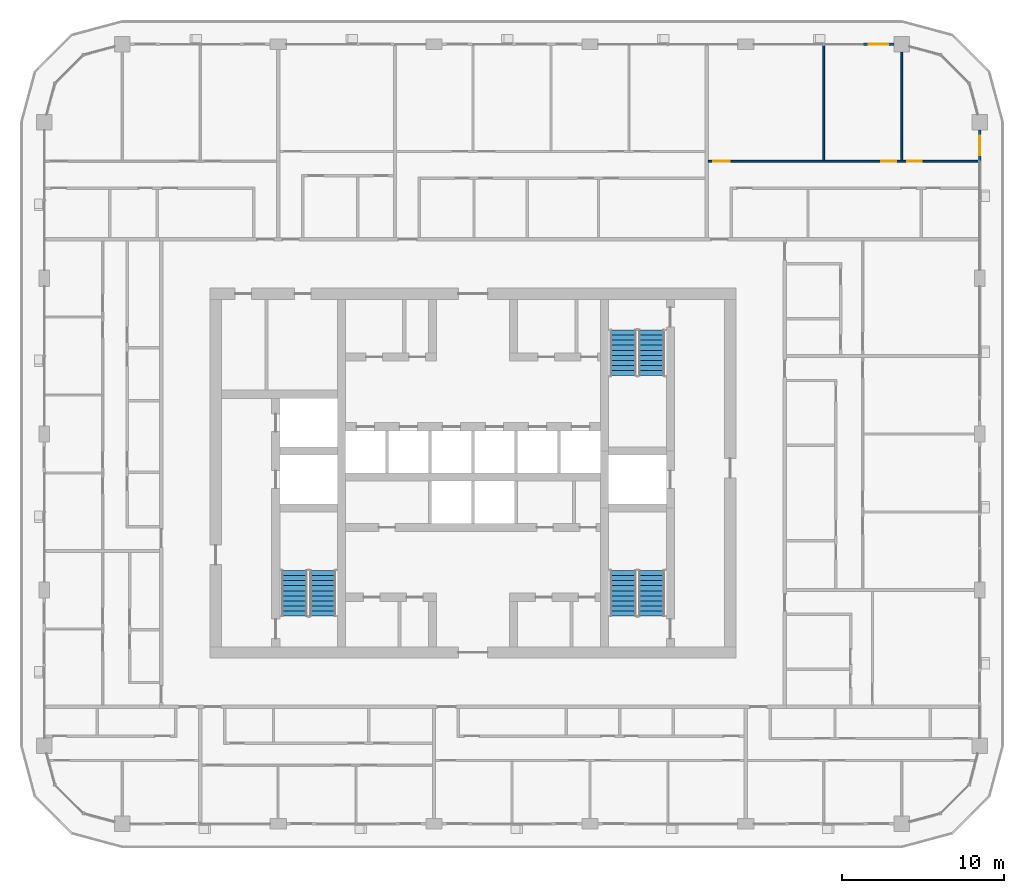
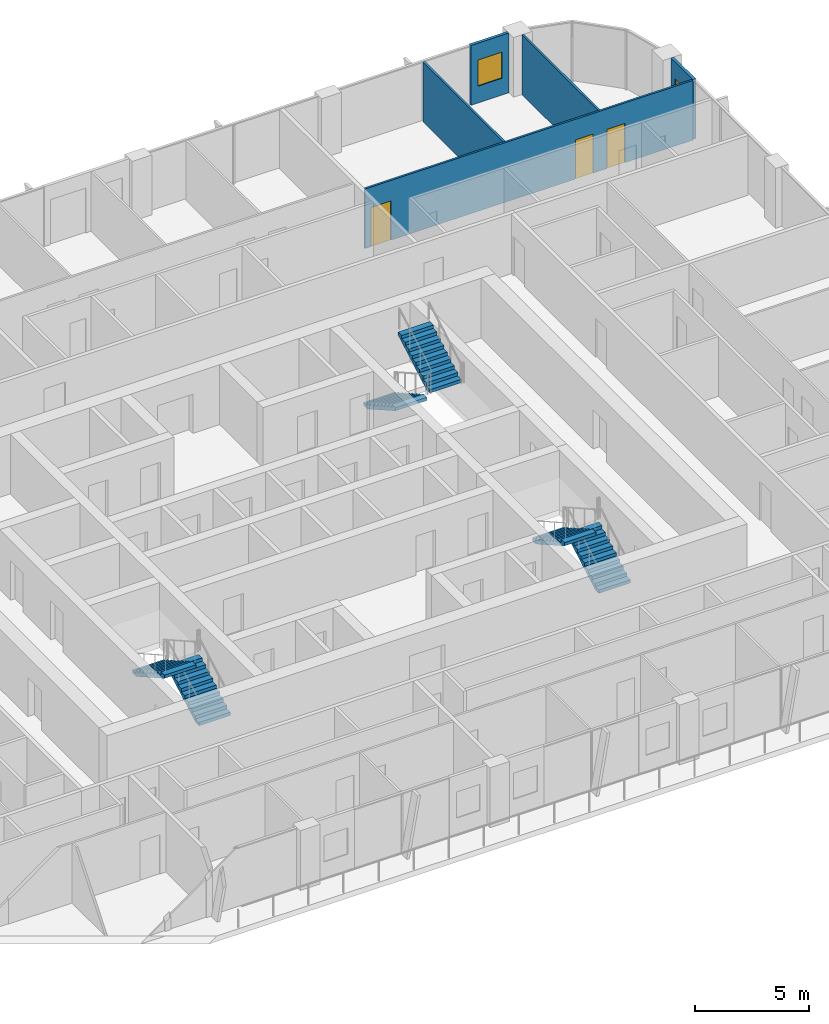
# One storey, part 16 of 23: 6 stair flights, 5 walls, 3 doors, 2 windows, 5 openings, 3 elements without a shape of their own.
"""IFC4 building model written with IfcOpenShell, lengths in metres."""

from ifc_helpers import new_model, si_unit, direction, frame, frame_2d, origin, place, context, subcontext, project, spatial, polyline, rectangle, outline, extrude, material, layer, layer_set, type_object, element, fill, aggregate, save


model = new_model("IFC4")

# Units and contexts
model_context = context("Model", 3, precision=1e-05, world=origin(), true_north=direction((0.0, 1.0)))
body_context = subcontext(model_context, "Body", "Model", "MODEL_VIEW")
ifc_project = project(units=[si_unit("LENGTHUNIT", "METRE"), si_unit("AREAUNIT", "SQUARE_METRE"), si_unit("VOLUMEUNIT", "CUBIC_METRE"), si_unit("PLANEANGLEUNIT", "RADIAN"), si_unit("MASSUNIT", "GRAM", prefix="KILO")], contexts=[model_context])

# Site, building, storey
site_placement = place(None, origin())
site = spatial("IfcSite", under=ifc_project, at=site_placement, CompositionType="ELEMENT")
building_placement = place(site_placement, origin())
building = spatial("IfcBuilding", under=site, at=building_placement, Name="Madar Terraces", CompositionType="ELEMENT")
storey_placement = place(building_placement, frame((0.0, 0.0, 226.300048828125)))
storey = spatial("IfcBuildingStorey", under=building, at=storey_placement, Name="L59", CompositionType="ELEMENT", Elevation=226.300048828125)

# Wall, opening, window
ifc_material_1 = material(Name="Aluminium composite panel, black, over insulated backing", Category="aluminium")
ifc_layer_1 = layer(ifc_material_1, 0.14990234375)
ifc_layer_set_1 = layer_set([ifc_layer_1], Name="Facade bay panel 150")
wall_type_1 = type_object("IfcWallType", Name="Facade bay panel 150", PredefinedType="SOLIDWALL", material=ifc_layer_set_1)
wall_1_placement = place(storey_placement, frame((62.39990234375, 45.60009765625, 0.0), z_axis=(0.0, 0.0, 1.0), x_axis=(0.0, 1.0, 0.0)))
wall_1 = element("IfcWall", 1, at=wall_1_placement, inside=storey, type_object=wall_type_1, Name="Facade bay panel", PredefinedType="SOLIDWALL", context=body_context, shape_type="SweptSolid", body=[
    extrude(rectangle(XDim=1.9248046875, YDim=0.14990234375, at=frame_2d((0.96240234375, 0.0))), origin(), (0.0, 0.0, 1.0), 3.199951171875),
])
opening_1_placement = place(wall_1_placement, frame((0.362548828125, 0.0, 0.89990234375)))
opening_1 = element("IfcOpeningElement", 2, at=opening_1_placement, cuts=wall_1, Name="Opening W1", PredefinedType="OPENING", context=body_context, shape_type="SweptSolid", body=[
    extrude(rectangle(XDim=1.199951171875, YDim=1.39990234375, at=frame_2d((0.60009765625, 0.699951171875))), frame((0.0, 0.0849609375, 0.0), z_axis=(0.0, -1.0, 0.0), x_axis=(1.0, 0.0, 0.0)), (0.0, 0.0, 1.0), 0.169921875),
])
ifc_material_2 = material(Name="Glass, clear, with black aluminium frame", Category="aluminium")
window_type = type_object("IfcWindowType", Name="Vent window 1200 x 1400", PartitioningType="SINGLE_PANEL", PredefinedType="WINDOW", material=ifc_material_2)
window_1_placement = place(opening_1_placement, origin())
window_1 = element("IfcWindow", 3, at=window_1_placement, inside=storey, type_object=window_type, Name="Operable vent window", OverallHeight=1.39990234375, OverallWidth=1.199951171875, PartitioningType="SINGLE_PANEL", PredefinedType="WINDOW", context=body_context, shape_type="SweptSolid", body=[
    extrude(rectangle(XDim=1.199951171875, YDim=1.39990234375, at=frame_2d((0.60009765625, 0.699951171875))), frame((0.0, 0.030029296875, 0.0), z_axis=(0.0, -1.0, 0.0), x_axis=(1.0, 0.0, 0.0)), (0.0, 0.0, 1.0), 0.06005859375),
])
fill(opening_1, window_1)

wall_2_placement = place(storey_placement, frame((57.125, 52.800048828125, 0.0), z_axis=(0.0, 0.0, 1.0), x_axis=(-1.0, 0.0, 0.0)))
wall_2 = element("IfcWall", 4, at=wall_2_placement, inside=storey, type_object=wall_type_1, Name="Facade bay panel", PredefinedType="SOLIDWALL", context=body_context, shape_type="SweptSolid", body=[
    extrude(rectangle(XDim=1.925048828125, YDim=0.14990234375, at=frame_2d((0.96240234375, 0.0))), origin(), (0.0, 0.0, 1.0), 3.199951171875),
])
opening_2_placement = place(wall_2_placement, frame((0.362548828125, 0.0, 0.89990234375)))
opening_2 = element("IfcOpeningElement", 5, at=opening_2_placement, cuts=wall_2, Name="Opening W1", PredefinedType="OPENING", context=body_context, shape_type="SweptSolid", body=[
    extrude(rectangle(XDim=1.199951171875, YDim=1.39990234375, at=frame_2d((0.60009765625, 0.699951171875))), frame((0.0, 0.0849609375, 0.0), z_axis=(0.0, -1.0, 0.0), x_axis=(1.0, 0.0, 0.0)), (0.0, 0.0, 1.0), 0.169921875),
])
window_2_placement = place(opening_2_placement, origin())
window_2 = element("IfcWindow", 6, at=window_2_placement, inside=storey, type_object=window_type, Name="Operable vent window", OverallHeight=1.39990234375, OverallWidth=1.199951171875, PartitioningType="SINGLE_PANEL", PredefinedType="WINDOW", context=body_context, shape_type="SweptSolid", body=[
    extrude(rectangle(XDim=1.199951171875, YDim=1.39990234375, at=frame_2d((0.60009765625, 0.699951171875))), frame((0.0, 0.030029296875, 0.0), z_axis=(0.0, -1.0, 0.0), x_axis=(1.0, 0.0, 0.0)), (0.0, 0.0, 1.0), 0.06005859375),
])
fill(opening_2, window_2)

# Walls
ifc_material_3 = material(Name="Gypsum board on steel studs", Category="steel")
ifc_layer_2 = layer(ifc_material_3, 0.10009765625)
ifc_layer_set_2 = layer_set([ifc_layer_2], Name="Flat partition 100")
wall_type_2 = type_object("IfcWallType", Name="Flat partition 100", PredefinedType="PARTITIONING", material=ifc_layer_set_2)
wall_3_placement = place(storey_placement, frame((52.800048828125, 45.64990234375, 0.0), z_axis=(0.0, 0.0, 1.0), x_axis=(0.0, 1.0, 0.0)))
element("IfcWall", 7, at=wall_3_placement, inside=storey, type_object=wall_type_2, Name="Flat partition 100", PredefinedType="PARTITIONING", context=body_context, shape_type="SweptSolid", body=[
    extrude(rectangle(XDim=7.050048828125, YDim=0.10009765625, at=frame_2d((3.52490234375, 0.0))), origin(), (0.0, 0.0, 1.0), 3.199951171875),
])
wall_4_placement = place(storey_placement, frame((57.60009765625, 45.64990234375, 0.0), z_axis=(0.0, 0.0, 1.0), x_axis=(0.0, 1.0, 0.0)))
element("IfcWall", 8, at=wall_4_placement, inside=storey, type_object=wall_type_2, Name="Flat partition 100", PredefinedType="PARTITIONING", context=body_context, shape_type="SweptSolid", body=[
    extrude(rectangle(XDim=6.675048828125, YDim=0.10009765625, at=frame_2d((3.33740234375, 0.0))), origin(), (0.0, 0.0, 1.0), 3.199951171875),
])

# Wall, openings, doors
wall_5_placement = place(storey_placement, frame((45.699951171875, 45.60009765625, 0.0), z_axis=(0.0, 0.0, 1.0), x_axis=(1.0, 0.0, 0.0)))
wall_5 = element("IfcWall", 9, at=wall_5_placement, inside=storey, type_object=wall_type_2, Name="Flat partition 100", PredefinedType="PARTITIONING", context=body_context, shape_type="SweptSolid", body=[
    extrude(rectangle(XDim=16.60009765625, YDim=0.10009765625, at=frame_2d((8.300048828125, 0.0))), origin(), (0.0, 0.0, 1.0), 3.199951171875),
])
opening_3_placement = place(wall_5_placement, frame((0.300048828125, 0.0, 0.0)))
opening_3 = element("IfcOpeningElement", 10, at=opening_3_placement, cuts=wall_5, Name="Opening D3", PredefinedType="OPENING", context=body_context, shape_type="SweptSolid", body=[
    extrude(rectangle(XDim=1.0, YDim=2.10009765625, at=frame_2d((0.5, 1.050048828125))), frame((0.0, 0.06005859375, 0.0), z_axis=(0.0, -1.0, 0.0), x_axis=(1.0, 0.0, 0.0)), (0.0, 0.0, 1.0), 0.1201171875),
])
opening_4_placement = place(wall_5_placement, frame((10.64990234375, 0.0, 0.0)))
opening_4 = element("IfcOpeningElement", 11, at=opening_4_placement, cuts=wall_5, Name="Opening D2", PredefinedType="OPENING", context=body_context, shape_type="SweptSolid", body=[
    extrude(rectangle(XDim=0.89990234375, YDim=2.10009765625, at=frame_2d((0.449951171875, 1.050048828125))), frame((0.0, 0.06005859375, 0.0), z_axis=(0.0, -1.0, 0.0), x_axis=(1.0, 0.0, 0.0)), (0.0, 0.0, 1.0), 0.1201171875),
])
opening_5_placement = place(wall_5_placement, frame((12.25, 0.0, 0.0)))
opening_5 = element("IfcOpeningElement", 12, at=opening_5_placement, cuts=wall_5, Name="Opening D2", PredefinedType="OPENING", context=body_context, shape_type="SweptSolid", body=[
    extrude(rectangle(XDim=0.89990234375, YDim=2.10009765625, at=frame_2d((0.449951171875, 1.050048828125))), frame((0.0, 0.06005859375, 0.0), z_axis=(0.0, -1.0, 0.0), x_axis=(1.0, 0.0, 0.0)), (0.0, 0.0, 1.0), 0.1201171875),
])
ifc_material_4 = material(Name="Timber door leaf", Category="wood")
door_type_1 = type_object("IfcDoorType", Name="Flat living room door 1000", OperationType="NOTDEFINED", PredefinedType="DOOR", material=ifc_material_4)
door_1_placement = place(opening_3_placement, origin())
door_1 = element("IfcDoor", 13, at=door_1_placement, inside=storey, type_object=door_type_1, Name="Flat living room door 1000", OperationType="SINGLE_SWING_LEFT", OverallHeight=2.10009765625, OverallWidth=1.0, PredefinedType="DOOR", context=body_context, shape_type="SweptSolid", body=[
    extrude(rectangle(XDim=1.0, YDim=2.10009765625, at=frame_2d((0.5, 1.050048828125))), frame((0.0, 0.02490234375, 0.0), z_axis=(0.0, -1.0, 0.0), x_axis=(1.0, 0.0, 0.0)), (0.0, 0.0, 1.0), 0.050048828125),
])
fill(opening_3, door_1)
ifc_material_5 = material(Name="Timber door leaf", Category="wood")
door_type_2 = type_object("IfcDoorType", Name="Flat room door 900", OperationType="NOTDEFINED", PredefinedType="DOOR", material=ifc_material_5)
door_2_placement = place(opening_4_placement, origin())
door_2 = element("IfcDoor", 14, at=door_2_placement, inside=storey, type_object=door_type_2, Name="Flat room door 900", OperationType="SINGLE_SWING_RIGHT", OverallHeight=2.10009765625, OverallWidth=0.89990234375, PredefinedType="DOOR", context=body_context, shape_type="SweptSolid", body=[
    extrude(rectangle(XDim=0.89990234375, YDim=2.10009765625, at=frame_2d((0.449951171875, 1.050048828125))), frame((0.0, 0.02490234375, 0.0), z_axis=(0.0, -1.0, 0.0), x_axis=(1.0, 0.0, 0.0)), (0.0, 0.0, 1.0), 0.050048828125),
])
fill(opening_4, door_2)
door_3_placement = place(opening_5_placement, origin())
door_3 = element("IfcDoor", 15, at=door_3_placement, inside=storey, type_object=door_type_2, Name="Flat room door 900", OperationType="SINGLE_SWING_LEFT", OverallHeight=2.10009765625, OverallWidth=0.89990234375, PredefinedType="DOOR", context=body_context, shape_type="SweptSolid", body=[
    extrude(rectangle(XDim=0.89990234375, YDim=2.10009765625, at=frame_2d((0.449951171875, 1.050048828125))), frame((0.0, 0.02490234375, 0.0), z_axis=(0.0, -1.0, 0.0), x_axis=(1.0, 0.0, 0.0)), (0.0, 0.0, 1.0), 0.050048828125),
])
fill(opening_5, door_3)

# Stair, stair flights
ifc_material_6 = material(Name="Concrete C50/60", Category="concrete")
stair_type_1 = type_object("IfcStairType", Name="Stair ST1 protected exit", PredefinedType="HALF_TURN_STAIR", material=ifc_material_6)
stair_1_placement = place(storey_placement, origin())
stair_1 = element("IfcStair", 16, at=stair_1_placement, inside=storey, type_object=stair_type_1, Name="L59 Protected Exit Stair ST1", PredefinedType="HALF_TURN_STAIR")
ifc_material_7 = material(Name="Concrete C50/60", Category="concrete")
stair_flight_type_1 = type_object("IfcStairFlightType", Name="Stair flight ST1-F4, 1600 wide, 10 risers", PredefinedType="STRAIGHT", material=ifc_material_7)
stair_flight_1_placement = place(storey_placement, frame((21.949951171875, 17.60009765625, 0.0), z_axis=(0.0, 0.0, 1.0), x_axis=(0.0, 1.0, 0.0)))
stair_flight_1 = element("IfcStairFlight", 17, at=stair_flight_1_placement, type_object=stair_flight_type_1, Name="ST1 flight 1", NumberOfRisers=10, NumberOfTreads=9, PredefinedType="STRAIGHT", RiserHeight=0.175, TreadLength=0.31, context=body_context, shape_type="SweptSolid", body=[
    extrude(outline(polyline([(0.0, 0.0), (0.0, 0.175048828125), (0.31005859375, 0.175048828125), (0.31005859375, 0.35009765625), (0.6201171875, 0.35009765625), (0.6201171875, 0.52490234375), (0.929931640625, 0.52490234375), (0.929931640625, 0.699951171875), (1.239990234375, 0.699951171875), (1.239990234375, 0.875), (1.550048828125, 0.875), (1.550048828125, 1.050048828125), (1.860107421875, 1.050048828125), (1.860107421875, 1.22509765625), (2.169921875, 1.22509765625), (2.169921875, 1.39990234375), (2.47998046875, 1.39990234375), (2.47998046875, 1.574951171875), (2.7900390625, 1.574951171875), (2.7900390625, 1.75), (2.7900390625, 1.40283203125), (0.304931640625, 0.0), (0.0, 0.0)])), frame((0.0, 0.800048828125, 0.0), z_axis=(0.0, -1.0, 0.0), x_axis=(1.0, 0.0, 0.0)), (0.0, 0.0, 1.0), 1.60009765625),
])
stair_flight_2_placement = place(storey_placement, frame((20.199951171875, 20.389892578125, 1.75), z_axis=(0.0, 0.0, 1.0), x_axis=(0.0, -1.0, 0.0)))
stair_flight_2 = element("IfcStairFlight", 18, at=stair_flight_2_placement, type_object=stair_flight_type_1, Name="ST1 flight 2", NumberOfRisers=10, NumberOfTreads=9, PredefinedType="STRAIGHT", RiserHeight=0.175, TreadLength=0.31, context=body_context, shape_type="SweptSolid", body=[
    extrude(outline(polyline([(0.0, 0.0), (0.0, 0.175048828125), (0.31005859375, 0.175048828125), (0.31005859375, 0.35009765625), (0.6201171875, 0.35009765625), (0.6201171875, 0.52490234375), (0.929931640625, 0.52490234375), (0.929931640625, 0.699951171875), (1.239990234375, 0.699951171875), (1.239990234375, 0.875), (1.550048828125, 0.875), (1.550048828125, 1.050048828125), (1.860107421875, 1.050048828125), (1.860107421875, 1.22509765625), (2.169921875, 1.22509765625), (2.169921875, 1.39990234375), (2.47998046875, 1.39990234375), (2.47998046875, 1.574951171875), (2.7900390625, 1.574951171875), (2.7900390625, 1.75), (2.7900390625, 1.40283203125), (0.304931640625, 0.0), (0.0, 0.0)])), frame((0.0, 0.800048828125, 0.0), z_axis=(0.0, -1.0, 0.0), x_axis=(1.0, 0.0, 0.0)), (0.0, 0.0, 1.0), 1.60009765625),
])
aggregate(stair_1, [stair_flight_1, stair_flight_2])

ifc_material_8 = material(Name="Concrete C50/60", Category="concrete")
stair_type_2 = type_object("IfcStairType", Name="Stair ST2 protected exit", PredefinedType="HALF_TURN_STAIR", material=ifc_material_8)
stair_2_placement = place(storey_placement, origin())
stair_2 = element("IfcStair", 19, at=stair_2_placement, inside=storey, type_object=stair_type_2, Name="L59 Protected Exit Stair ST2", PredefinedType="HALF_TURN_STAIR")
ifc_material_9 = material(Name="Concrete C50/60", Category="concrete")
stair_flight_type_2 = type_object("IfcStairFlightType", Name="Stair flight ST2-F4, 1600 wide, 10 risers", PredefinedType="STRAIGHT", material=ifc_material_9)
stair_flight_3_placement = place(storey_placement, frame((40.449951171875, 35.199951171875, 0.0), z_axis=(0.0, 0.0, 1.0), x_axis=(0.0, -1.0, 0.0)))
stair_flight_3 = element("IfcStairFlight", 20, at=stair_flight_3_placement, type_object=stair_flight_type_2, Name="ST2 flight 1", NumberOfRisers=10, NumberOfTreads=9, PredefinedType="STRAIGHT", RiserHeight=0.175, TreadLength=0.31, context=body_context, shape_type="SweptSolid", body=[
    extrude(outline(polyline([(0.0, 0.0), (0.0, 0.175048828125), (0.31005859375, 0.175048828125), (0.31005859375, 0.35009765625), (0.6201171875, 0.35009765625), (0.6201171875, 0.52490234375), (0.929931640625, 0.52490234375), (0.929931640625, 0.699951171875), (1.239990234375, 0.699951171875), (1.239990234375, 0.875), (1.550048828125, 0.875), (1.550048828125, 1.050048828125), (1.860107421875, 1.050048828125), (1.860107421875, 1.22509765625), (2.169921875, 1.22509765625), (2.169921875, 1.39990234375), (2.47998046875, 1.39990234375), (2.47998046875, 1.574951171875), (2.7900390625, 1.574951171875), (2.7900390625, 1.75), (2.7900390625, 1.40283203125), (0.304931640625, 0.0), (0.0, 0.0)])), frame((0.0, 0.800048828125, 0.0), z_axis=(0.0, -1.0, 0.0), x_axis=(1.0, 0.0, 0.0)), (0.0, 0.0, 1.0), 1.60009765625),
])
stair_flight_4_placement = place(storey_placement, frame((42.199951171875, 32.409912109375, 1.75), z_axis=(0.0, 0.0, 1.0), x_axis=(0.0, 1.0, 0.0)))
stair_flight_4 = element("IfcStairFlight", 21, at=stair_flight_4_placement, type_object=stair_flight_type_2, Name="ST2 flight 2", NumberOfRisers=10, NumberOfTreads=9, PredefinedType="STRAIGHT", RiserHeight=0.175, TreadLength=0.31, context=body_context, shape_type="SweptSolid", body=[
    extrude(outline(polyline([(0.0, 0.0), (0.0, 0.175048828125), (0.31005859375, 0.175048828125), (0.31005859375, 0.35009765625), (0.6201171875, 0.35009765625), (0.6201171875, 0.52490234375), (0.929931640625, 0.52490234375), (0.929931640625, 0.699951171875), (1.239990234375, 0.699951171875), (1.239990234375, 0.875), (1.550048828125, 0.875), (1.550048828125, 1.050048828125), (1.860107421875, 1.050048828125), (1.860107421875, 1.22509765625), (2.169921875, 1.22509765625), (2.169921875, 1.39990234375), (2.47998046875, 1.39990234375), (2.47998046875, 1.574951171875), (2.7900390625, 1.574951171875), (2.7900390625, 1.75), (2.7900390625, 1.40283203125), (0.304931640625, 0.0), (0.0, 0.0)])), frame((0.0, 0.800048828125, 0.0), z_axis=(0.0, -1.0, 0.0), x_axis=(1.0, 0.0, 0.0)), (0.0, 0.0, 1.0), 1.60009765625),
])
aggregate(stair_2, [stair_flight_3, stair_flight_4])

ifc_material_10 = material(Name="Concrete C50/60", Category="concrete")
stair_type_3 = type_object("IfcStairType", Name="Stair ST3 protected exit", PredefinedType="HALF_TURN_STAIR", material=ifc_material_10)
stair_3_placement = place(storey_placement, origin())
stair_3 = element("IfcStair", 22, at=stair_3_placement, inside=storey, type_object=stair_type_3, Name="L59 Protected Exit Stair ST3", PredefinedType="HALF_TURN_STAIR")
ifc_material_11 = material(Name="Concrete C50/60", Category="concrete")
stair_flight_type_3 = type_object("IfcStairFlightType", Name="Stair flight ST3-F4, 1600 wide, 10 risers", PredefinedType="STRAIGHT", material=ifc_material_11)
stair_flight_5_placement = place(storey_placement, frame((42.199951171875, 17.60009765625, 0.0), z_axis=(0.0, 0.0, 1.0), x_axis=(0.0, 1.0, 0.0)))
stair_flight_5 = element("IfcStairFlight", 23, at=stair_flight_5_placement, type_object=stair_flight_type_3, Name="ST3 flight 1", NumberOfRisers=10, NumberOfTreads=9, PredefinedType="STRAIGHT", RiserHeight=0.175, TreadLength=0.31, context=body_context, shape_type="SweptSolid", body=[
    extrude(outline(polyline([(0.0, 0.0), (0.0, 0.175048828125), (0.31005859375, 0.175048828125), (0.31005859375, 0.35009765625), (0.6201171875, 0.35009765625), (0.6201171875, 0.52490234375), (0.929931640625, 0.52490234375), (0.929931640625, 0.699951171875), (1.239990234375, 0.699951171875), (1.239990234375, 0.875), (1.550048828125, 0.875), (1.550048828125, 1.050048828125), (1.860107421875, 1.050048828125), (1.860107421875, 1.22509765625), (2.169921875, 1.22509765625), (2.169921875, 1.39990234375), (2.47998046875, 1.39990234375), (2.47998046875, 1.574951171875), (2.7900390625, 1.574951171875), (2.7900390625, 1.75), (2.7900390625, 1.40283203125), (0.304931640625, 0.0), (0.0, 0.0)])), frame((0.0, 0.800048828125, 0.0), z_axis=(0.0, -1.0, 0.0), x_axis=(1.0, 0.0, 0.0)), (0.0, 0.0, 1.0), 1.60009765625),
])
stair_flight_6_placement = place(storey_placement, frame((40.449951171875, 20.389892578125, 1.75), z_axis=(0.0, 0.0, 1.0), x_axis=(0.0, -1.0, 0.0)))
stair_flight_6 = element("IfcStairFlight", 24, at=stair_flight_6_placement, type_object=stair_flight_type_3, Name="ST3 flight 2", NumberOfRisers=10, NumberOfTreads=9, PredefinedType="STRAIGHT", RiserHeight=0.175, TreadLength=0.31, context=body_context, shape_type="SweptSolid", body=[
    extrude(outline(polyline([(0.0, 0.0), (0.0, 0.175048828125), (0.31005859375, 0.175048828125), (0.31005859375, 0.35009765625), (0.6201171875, 0.35009765625), (0.6201171875, 0.52490234375), (0.929931640625, 0.52490234375), (0.929931640625, 0.699951171875), (1.239990234375, 0.699951171875), (1.239990234375, 0.875), (1.550048828125, 0.875), (1.550048828125, 1.050048828125), (1.860107421875, 1.050048828125), (1.860107421875, 1.22509765625), (2.169921875, 1.22509765625), (2.169921875, 1.39990234375), (2.47998046875, 1.39990234375), (2.47998046875, 1.574951171875), (2.7900390625, 1.574951171875), (2.7900390625, 1.75), (2.7900390625, 1.40283203125), (0.304931640625, 0.0), (0.0, 0.0)])), frame((0.0, 0.800048828125, 0.0), z_axis=(0.0, -1.0, 0.0), x_axis=(1.0, 0.0, 0.0)), (0.0, 0.0, 1.0), 1.60009765625),
])
aggregate(stair_3, [stair_flight_5, stair_flight_6])

save(model, "model.ifc")
